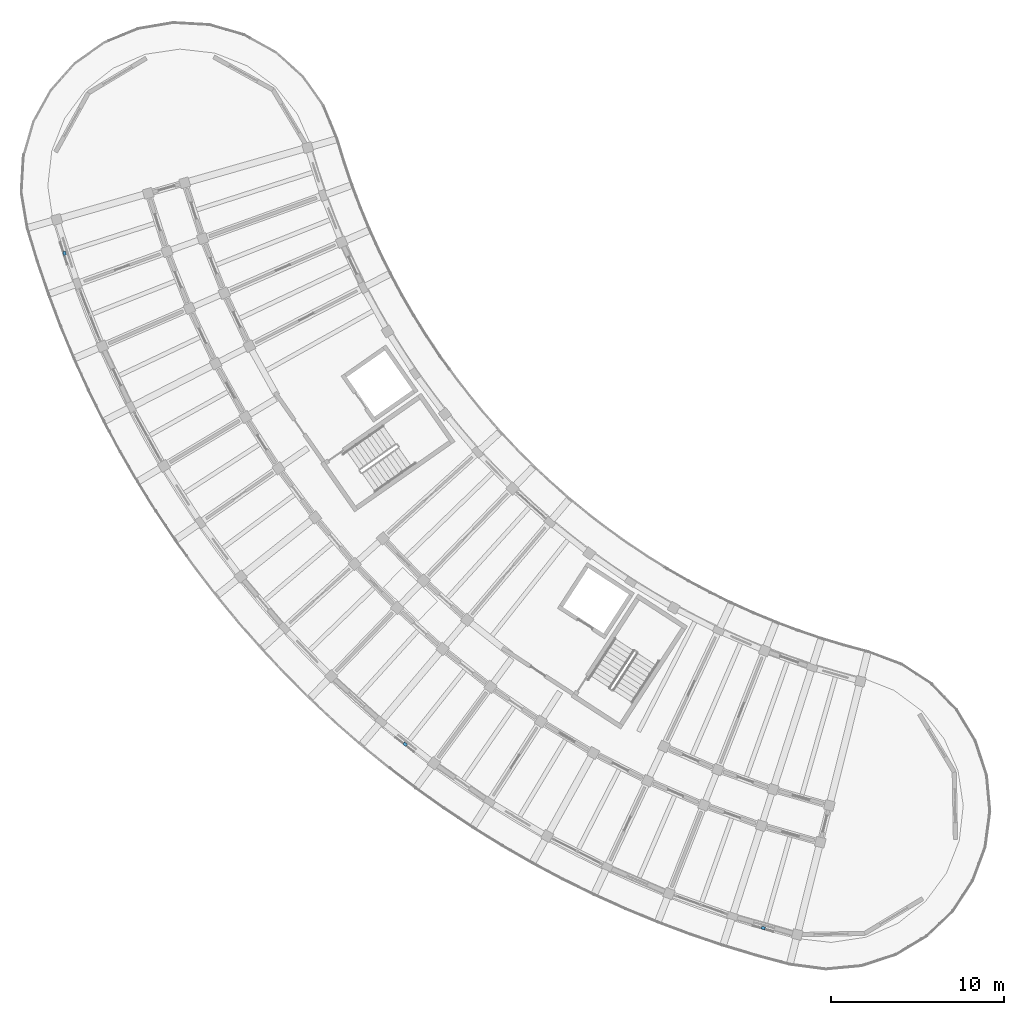
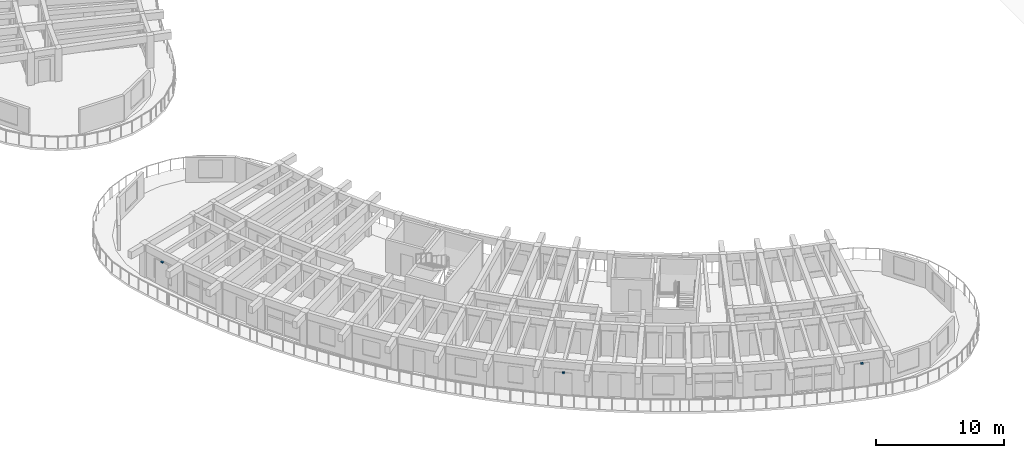
# One storey, part 75 of 96: 3 discrete accessories.
"""IFC4 building model written with IfcOpenShell, lengths in metres."""

from ifc_helpers import new_model, si_unit, direction, frame, origin, origin_2d, place, context, subcontext, project, spatial, rectangle, extrude, material, type_object, element, save


model = new_model("IFC4")

# Units and contexts
model_context = context("Model", 3, precision=1e-05, world=origin(), true_north=direction((0.0, 1.0)))
body_context = subcontext(model_context, "Body", "Model", "MODEL_VIEW")
ifc_project = project(units=[si_unit("LENGTHUNIT", "METRE"), si_unit("AREAUNIT", "SQUARE_METRE"), si_unit("VOLUMEUNIT", "CUBIC_METRE"), si_unit("PLANEANGLEUNIT", "RADIAN"), si_unit("MASSUNIT", "GRAM", prefix="KILO")], contexts=[model_context])

# Site, building, storey
site_placement = place(None, origin())
site = spatial("IfcSite", under=ifc_project, at=site_placement, CompositionType="ELEMENT")
building_placement = place(site_placement, origin())
building = spatial("IfcBuilding", under=site, at=building_placement, Name="Tanwirah Colonnade Gardens", CompositionType="ELEMENT")
storey_placement = place(building_placement, frame((0.0, 0.0, 12.199951171875)))
storey = spatial("IfcBuildingStorey", under=building, at=storey_placement, Name="L03", CompositionType="ELEMENT", Elevation=12.199951171875)

# Discrete accessories
ifc_material = material(Name="Steel S355", Category="steel")
discrete_accessory_type = type_object("IfcDiscreteAccessoryType", Name="BRK-SS1", PredefinedType="BRACKET", material=ifc_material)
for number, where, z_axis, x_axis, name in (
    (1, (8.20458984375, 46.1357421875, 2.199951171875), (0.0, 0.0, 1.0), (0.30694295016, -0.951727915608, 0.0), "Solar screen support bracket C-L03-00"),
    (2, (27.908447265625, 17.732666015625, 2.0), (0.0, 0.0, 1.0), (0.783964634348, -0.620805486519, 0.0), "Solar screen support bracket C-L03-09"),
    (3, (48.62890625, 7.09814453125, 2.0849609375), (0.0, 0.0, 1.0), (0.961860770803, -0.273539499139, 0.0), "Solar screen support bracket C-L03-15"),
):
    element("IfcDiscreteAccessory", number, at=place(storey_placement, frame(where, z_axis=z_axis, x_axis=x_axis)), inside=storey, type_object=discrete_accessory_type, Name=name, PredefinedType="BRACKET", context=body_context, shape_type="SweptSolid", body=[
        extrude(rectangle(XDim=0.219970703125, YDim=0.159912109375, at=origin_2d()), origin(), (0.0, 0.0, 1.0), 0.1201171875),
    ])

save(model, "model.ifc")
